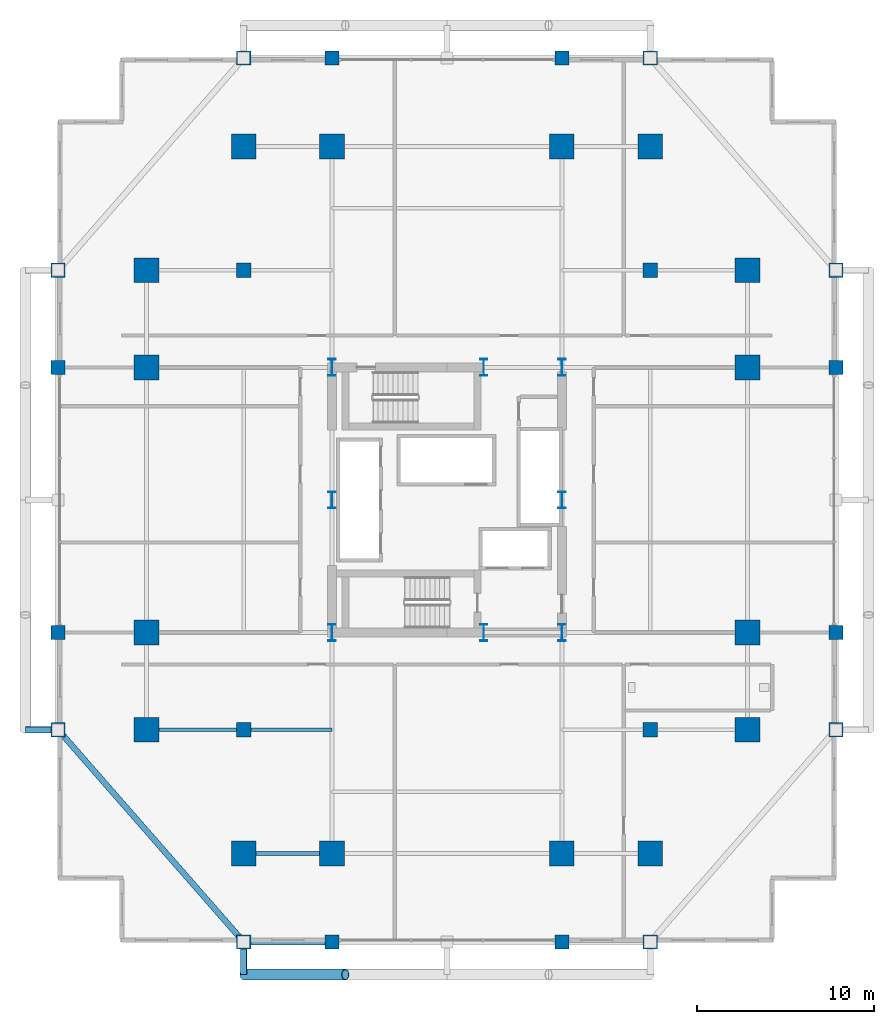
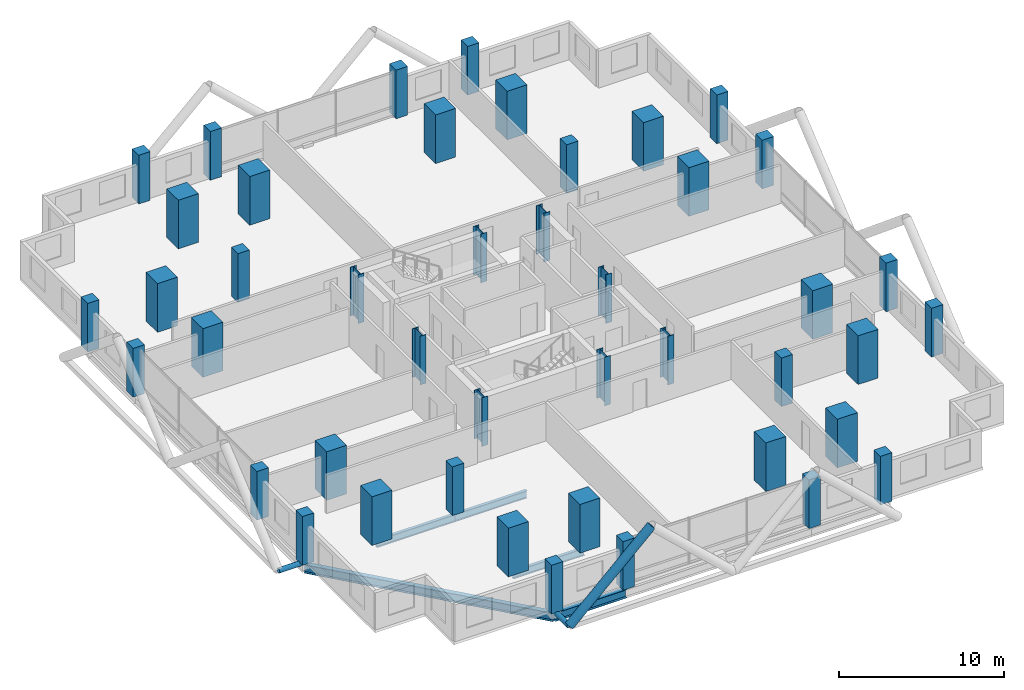
# One storey, part 1 of 26: 44 columns, 5 beams, 3 members.
"""IFC4 building model written with IfcOpenShell, lengths in metres."""

from ifc_helpers import new_model, si_unit, direction, frame, origin, origin_2d, place, context, subcontext, project, spatial, rectangle, hollow_circle, i_section, extrude, material, material_profile, profile_set, type_object, element, save


model = new_model("IFC4")

# Units and contexts
model_context = context("Model", 3, precision=1e-05, world=origin(), true_north=direction((0.0, 1.0)))
body_context = subcontext(model_context, "Body", "Model", "MODEL_VIEW")
ifc_project = project(units=[si_unit("LENGTHUNIT", "METRE"), si_unit("AREAUNIT", "SQUARE_METRE"), si_unit("VOLUMEUNIT", "CUBIC_METRE"), si_unit("PLANEANGLEUNIT", "RADIAN"), si_unit("MASSUNIT", "GRAM", prefix="KILO")], contexts=[model_context])

# Site, building, storey
site_placement = place(None, origin())
site = spatial("IfcSite", under=ifc_project, at=site_placement, CompositionType="ELEMENT")
building_placement = place(site_placement, origin())
building = spatial("IfcBuilding", under=site, at=building_placement, Name="Barlavira Tower and Art Museum", CompositionType="ELEMENT")
storey_placement = place(building_placement, frame((0.0, 0.0, 82.800048828125)))
storey = spatial("IfcBuildingStorey", under=building, at=storey_placement, Name="L20", CompositionType="ELEMENT", Elevation=82.800048828125)

# Columns
ifc_material_1 = material(Name="Steel S355", Category="steel")
ifc_material_profile_1 = material_profile(ifc_material_1, i_section(OverallWidth=0.419921875, OverallDepth=0.9599609375, WebThickness=0.02197265625, FlangeThickness=0.033935546875, at=origin_2d()), Name="W920x387.0")
ifc_profile_set_1 = profile_set([ifc_material_profile_1], Name="Steel S355")
column_type_1 = type_object("IfcColumnType", Name="Core Composite Column W920x387 Steel S355", PredefinedType="COLUMN", material=ifc_profile_set_1)
for number, where, z_axis, x_axis, name in (
    (1, (-6.5, -7.5, 0.0), (0.0, 0.0, 1.0), (1.0, 0.0, 0.0), "L20 Column CC-L20-C1"),
    (2, (2.080078125, -7.5, 0.0), (0.0, 0.0, 1.0), (1.0, 0.0, 0.0), "L20 Column CC-L20-C2"),
    (3, (6.5, -7.5, 0.0), (0.0, 0.0, 1.0), (1.0, 0.0, 0.0), "L20 Column CC-L20-C3"),
    (4, (-6.5, 0.0, 0.0), (0.0, 0.0, 1.0), (1.0, 0.0, 0.0), "L20 Column CC-L20-C4"),
    (5, (6.5, 0.0, 0.0), (0.0, 0.0, 1.0), (1.0, 0.0, 0.0), "L20 Column CC-L20-C5"),
    (6, (-6.5, 7.5, 0.0), (0.0, 0.0, 1.0), (1.0, 0.0, 0.0), "L20 Column CC-L20-C6"),
    (7, (2.080078125, 7.5, 0.0), (0.0, 0.0, 1.0), (1.0, 0.0, 0.0), "L20 Column CC-L20-C7"),
    (8, (6.5, 7.5, 0.0), (0.0, 0.0, 1.0), (1.0, 0.0, 0.0), "L20 Column CC-L20-C8"),
):
    element("IfcColumn", number, at=place(storey_placement, frame(where, z_axis=z_axis, x_axis=x_axis)), inside=storey, type_object=column_type_1, Name=name, PredefinedType="COLUMN", context=body_context, shape_type="SweptSolid", body=[
        extrude(i_section(OverallWidth=0.419921875, OverallDepth=0.9599609375, WebThickness=0.02197265625, FlangeThickness=0.033935546875, at=origin_2d()), origin(), (0.0, 0.0, 1.0), 3.599853515625),
    ])
ifc_material_2 = material(Name="Concrete C60", Category="concrete")
ifc_material_profile_2 = material_profile(ifc_material_2, rectangle(XDim=1.39990234375, YDim=1.39990234375, at=origin_2d()), Name="RC-MCOL 1400x1400")
ifc_profile_set_2 = profile_set([ifc_material_profile_2], Name="Concrete C60")
column_type_2 = type_object("IfcColumnType", Name="Perimeter Mega Column 1400x1400 Concrete C60", PredefinedType="USERDEFINED", material=ifc_profile_set_2)
for number, where, z_axis, x_axis, name in (
    (9, (-11.5, -20.0, 0.0), (0.0, 0.0, 1.0), (1.0, 0.0, 0.0), "L20 Column MC-L20-M01"),
    (10, (-6.5, -20.0, 0.0), (0.0, 0.0, 1.0), (1.0, 0.0, 0.0), "L20 Column MC-L20-M02"),
    (11, (6.5, -20.0, 0.0), (0.0, 0.0, 1.0), (1.0, 0.0, 0.0), "L20 Column MC-L20-M03"),
    (12, (11.5, -20.0, 0.0), (0.0, 0.0, 1.0), (1.0, 0.0, 0.0), "L20 Column MC-L20-M04"),
    (13, (17.0, -13.0, 0.0), (0.0, 0.0, 1.0), (1.0, 0.0, 0.0), "L20 Column MC-L20-M05"),
    (14, (17.0, -7.5, 0.0), (0.0, 0.0, 1.0), (1.0, 0.0, 0.0), "L20 Column MC-L20-M06"),
    (15, (17.0, 7.5, 0.0), (0.0, 0.0, 1.0), (1.0, 0.0, 0.0), "L20 Column MC-L20-M07"),
    (16, (17.0, 13.0, 0.0), (0.0, 0.0, 1.0), (1.0, 0.0, 0.0), "L20 Column MC-L20-M08"),
    (17, (11.5, 20.0, 0.0), (0.0, 0.0, 1.0), (1.0, 0.0, 0.0), "L20 Column MC-L20-M09"),
    (18, (6.5, 20.0, 0.0), (0.0, 0.0, 1.0), (1.0, 0.0, 0.0), "L20 Column MC-L20-M10"),
    (19, (-6.5, 20.0, 0.0), (0.0, 0.0, 1.0), (1.0, 0.0, 0.0), "L20 Column MC-L20-M11"),
    (20, (-11.5, 20.0, 0.0), (0.0, 0.0, 1.0), (1.0, 0.0, 0.0), "L20 Column MC-L20-M12"),
    (21, (-17.0, 13.0, 0.0), (0.0, 0.0, 1.0), (1.0, 0.0, 0.0), "L20 Column MC-L20-M13"),
    (22, (-17.0, 7.5, 0.0), (0.0, 0.0, 1.0), (1.0, 0.0, 0.0), "L20 Column MC-L20-M14"),
    (23, (-17.0, -7.5, 0.0), (0.0, 0.0, 1.0), (1.0, 0.0, 0.0), "L20 Column MC-L20-M15"),
    (24, (-17.0, -13.0, 0.0), (0.0, 0.0, 1.0), (1.0, 0.0, 0.0), "L20 Column MC-L20-M16"),
):
    element("IfcColumn", number, at=place(storey_placement, frame(where, z_axis=z_axis, x_axis=x_axis)), inside=storey, type_object=column_type_2, Name=name, ObjectType="MEGA COLUMN", PredefinedType="USERDEFINED", context=body_context, shape_type="SweptSolid", body=[
        extrude(rectangle(XDim=1.39990234375, YDim=1.39990234375, at=origin_2d()), origin(), (0.0, 0.0, 1.0), 3.599853515625),
    ])
ifc_material_3 = material(Name="Concrete C50", Category="concrete")
ifc_material_profile_3 = material_profile(ifc_material_3, rectangle(XDim=0.800048828125, YDim=0.800048828125, at=origin_2d()), Name="RC-COL 800x800")
ifc_profile_set_3 = profile_set([ifc_material_profile_3], Name="Concrete C50")
column_type_3 = type_object("IfcColumnType", Name="Podium Frame Column 800x800 Concrete C50", PredefinedType="COLUMN", material=ifc_profile_set_3)
for number, where, z_axis, x_axis, name in (
    (25, (-11.5, -13.0, 0.0), (0.0, 0.0, 1.0), (1.0, 0.0, 0.0), "L20 Column CI-L20-I1"),
    (26, (11.5, -13.0, 0.0), (0.0, 0.0, 1.0), (1.0, 0.0, 0.0), "L20 Column CI-L20-I2"),
    (27, (-11.5, 13.0, 0.0), (0.0, 0.0, 1.0), (1.0, 0.0, 0.0), "L20 Column CI-L20-I3"),
    (28, (11.5, 13.0, 0.0), (0.0, 0.0, 1.0), (1.0, 0.0, 0.0), "L20 Column CI-L20-I4"),
    (29, (-11.5, -25.0, 0.0), (0.0, 0.0, 1.0), (1.0, 0.0, 0.0), "L20 Column CZ1-L20-N01"),
    (30, (-6.5, -25.0, 0.0), (0.0, 0.0, 1.0), (1.0, 0.0, 0.0), "L20 Column CZ1-L20-N02"),
    (31, (6.5, -25.0, 0.0), (0.0, 0.0, 1.0), (1.0, 0.0, 0.0), "L20 Column CZ1-L20-N02B"),
    (32, (11.5, -25.0, 0.0), (0.0, 0.0, 1.0), (1.0, 0.0, 0.0), "L20 Column CZ1-L20-N03"),
    (33, (-22.0, -13.0, 0.0), (0.0, 0.0, 1.0), (1.0, 0.0, 0.0), "L20 Column CZ1-L20-N04"),
    (34, (-22.0, -7.5, 0.0), (0.0, 0.0, 1.0), (1.0, 0.0, 0.0), "L20 Column CZ1-L20-N05"),
    (35, (-22.0, 7.5, 0.0), (0.0, 0.0, 1.0), (1.0, 0.0, 0.0), "L20 Column CZ1-L20-N05B"),
    (36, (-22.0, 13.0, 0.0), (0.0, 0.0, 1.0), (1.0, 0.0, 0.0), "L20 Column CZ1-L20-N06"),
    (37, (-11.5, 25.0, 0.0), (0.0, 0.0, 1.0), (1.0, 0.0, 0.0), "L20 Column CZ1-L20-N07"),
    (38, (-6.5, 25.0, 0.0), (0.0, 0.0, 1.0), (1.0, 0.0, 0.0), "L20 Column CZ1-L20-N08"),
    (39, (6.5, 25.0, 0.0), (0.0, 0.0, 1.0), (1.0, 0.0, 0.0), "L20 Column CZ1-L20-N08B"),
    (40, (11.5, 25.0, 0.0), (0.0, 0.0, 1.0), (1.0, 0.0, 0.0), "L20 Column CZ1-L20-N09"),
    (41, (22.0, -13.0, 0.0), (0.0, 0.0, 1.0), (1.0, 0.0, 0.0), "L20 Column CZ1-L20-N10"),
    (42, (22.0, -7.5, 0.0), (0.0, 0.0, 1.0), (1.0, 0.0, 0.0), "L20 Column CZ1-L20-N11"),
    (43, (22.0, 7.5, 0.0), (0.0, 0.0, 1.0), (1.0, 0.0, 0.0), "L20 Column CZ1-L20-N11B"),
    (44, (22.0, 13.0, 0.0), (0.0, 0.0, 1.0), (1.0, 0.0, 0.0), "L20 Column CZ1-L20-N12"),
):
    element("IfcColumn", number, at=place(storey_placement, frame(where, z_axis=z_axis, x_axis=x_axis)), inside=storey, type_object=column_type_3, Name=name, PredefinedType="COLUMN", context=body_context, shape_type="SweptSolid", body=[
        extrude(rectangle(XDim=0.800048828125, YDim=0.800048828125, at=origin_2d()), origin(), (0.0, 0.0, 1.0), 3.599853515625),
    ])

# Members
ifc_material_profile_4 = material_profile(ifc_material_1, hollow_circle(Radius=0.304931640625, WallThickness=0.028076171875, at=origin_2d()), Name="CHS 610.0x28.0")
ifc_profile_set_4 = profile_set([ifc_material_profile_4], Name="Steel S355")
member_type_1 = type_object("IfcMemberType", Name="Pale-Metal Exoskeleton Diagrid Tube CHS 610x28 Steel S355", PredefinedType="BRACE", material=ifc_profile_set_4)
member_placement = place(storey_placement, frame((-11.5, -26.85009765625, -0.1201171875), z_axis=(0.728934650808, 0.0, 0.684583285548), x_axis=(0.0, 1.0, 0.0)))
element("IfcMember", 45, at=member_placement, inside=storey, type_object=member_type_1, Name="L20 Exoskeleton Diagrid Tube S", PredefinedType="BRACE", context=body_context, shape_type="SweptSolid", body=[
    extrude(hollow_circle(Radius=0.304931640625, WallThickness=0.028076171875, at=origin_2d()), origin(), (0.0, 0.0, 1.0), 7.88818359375),
])
ifc_material_profile_5 = material_profile(ifc_material_1, hollow_circle(Radius=0.177734375, WallThickness=0.01611328125, at=origin_2d()), Name="CHS 355.6x16.0")
ifc_profile_set_5 = profile_set([ifc_material_profile_5], Name="Steel S355")
member_type_2 = type_object("IfcMemberType", Name="Pale-Metal Exoskeleton Tie Strut CHS 356x16 Steel S355", PredefinedType="STRUT", material=ifc_profile_set_5)
for number, where, z_axis, x_axis, name in (
    (46, (-11.5, -26.85009765625, -0.1201171875), (0.0, 1.0, 0.0), (-1.0, 0.0, 0.0), "L20 Exoskeleton Tie Strut S1"),
    (47, (-23.85009765625, -13.0, -0.1201171875), (1.0, 0.0, 0.0), (0.0, 1.0, 0.0), "L20 Exoskeleton Tie Strut W1"),
):
    element("IfcMember", number, at=place(storey_placement, frame(where, z_axis=z_axis, x_axis=x_axis)), inside=storey, type_object=member_type_2, Name=name, PredefinedType="STRUT", context=body_context, shape_type="SweptSolid", body=[
        extrude(hollow_circle(Radius=0.177734375, WallThickness=0.01611328125, at=origin_2d()), origin(), (0.0, 0.0, 1.0), 1.85009765625),
    ])

# Beams
ifc_material_profile_6 = material_profile(ifc_material_1, i_section(OverallWidth=0.327880859375, OverallDepth=0.62890625, WebThickness=0.013916015625, FlangeThickness=0.021484375, at=origin_2d()), Name="W610x174.0")
ifc_profile_set_6 = profile_set([ifc_material_profile_6], Name="Steel S355")
beam_type_1 = type_object("IfcBeamType", Name="Perimeter Spandrel Edge Beam W610x174 Steel S355", PredefinedType="SPANDREL", material=ifc_profile_set_6)
beam_1_placement = place(storey_placement, frame((-11.5, -25.0, -0.53466796875), z_axis=(1.0, 0.0, 0.0), x_axis=(0.0, 1.0, 0.0)))
element("IfcBeam", 48, at=beam_1_placement, inside=storey, type_object=beam_type_1, Name="L20 Spandrel 1", PredefinedType="SPANDREL", context=body_context, shape_type="SweptSolid", body=[
    extrude(i_section(OverallWidth=0.327880859375, OverallDepth=0.62890625, WebThickness=0.013916015625, FlangeThickness=0.021484375, at=origin_2d()), origin(), (0.0, 0.0, 1.0), 5.0),
])
beam_2_placement = place(storey_placement, frame((-22.0, -13.0, -0.53466796875), z_axis=(0.658504607869, -0.752576694707, 0.0), x_axis=(0.752576694707, 0.658504607869, 0.0)))
element("IfcBeam", 49, at=beam_2_placement, inside=storey, type_object=beam_type_1, Name="L20 Spandrel 16", PredefinedType="SPANDREL", context=body_context, shape_type="SweptSolid", body=[
    extrude(i_section(OverallWidth=0.327880859375, OverallDepth=0.62890625, WebThickness=0.013916015625, FlangeThickness=0.021484375, at=origin_2d()), origin(), (0.0, 0.0, 1.0), 15.9453125),
])
ifc_material_profile_7 = material_profile(ifc_material_1, i_section(OverallWidth=0.214111328125, OverallDepth=0.549072265625, WebThickness=0.0146484375, FlangeThickness=0.023681640625, at=origin_2d()), Name="W530x138.0")
ifc_profile_set_7 = profile_set([ifc_material_profile_7], Name="Steel S355")
beam_type_2 = type_object("IfcBeamType", Name="Zone 1 Primary Floor Girder W530x138 Steel S355", PredefinedType="BEAM", material=ifc_profile_set_7)
beam_3_placement = place(storey_placement, frame((-11.5, -20.0, -0.49462890625), z_axis=(1.0, 0.0, 0.0), x_axis=(0.0, 1.0, 0.0)))
element("IfcBeam", 50, at=beam_3_placement, inside=storey, type_object=beam_type_2, Name="L20 Girder M-S1", PredefinedType="BEAM", context=body_context, shape_type="SweptSolid", body=[
    extrude(i_section(OverallWidth=0.214111328125, OverallDepth=0.549072265625, WebThickness=0.0146484375, FlangeThickness=0.023681640625, at=origin_2d()), origin(), (0.0, 0.0, 1.0), 5.0),
])
beam_4_placement = place(storey_placement, frame((-17.0, -13.0, -0.49462890625), z_axis=(1.0, 0.0, 0.0), x_axis=(0.0, 1.0, 0.0)))
element("IfcBeam", 51, at=beam_4_placement, inside=storey, type_object=beam_type_2, Name="L20 Girder I-S1", PredefinedType="BEAM", context=body_context, shape_type="SweptSolid", body=[
    extrude(i_section(OverallWidth=0.214111328125, OverallDepth=0.549072265625, WebThickness=0.0146484375, FlangeThickness=0.023681640625, at=origin_2d()), origin(), (0.0, 0.0, 1.0), 5.5),
])
beam_5_placement = place(storey_placement, frame((-11.5, -13.0, -0.49462890625), z_axis=(1.0, 0.0, 0.0), x_axis=(0.0, 1.0, 0.0)))
element("IfcBeam", 52, at=beam_5_placement, inside=storey, type_object=beam_type_2, Name="L20 Girder I-S2", PredefinedType="BEAM", context=body_context, shape_type="SweptSolid", body=[
    extrude(i_section(OverallWidth=0.214111328125, OverallDepth=0.549072265625, WebThickness=0.0146484375, FlangeThickness=0.023681640625, at=origin_2d()), origin(), (0.0, 0.0, 1.0), 5.0),
])

save(model, "model.ifc")
